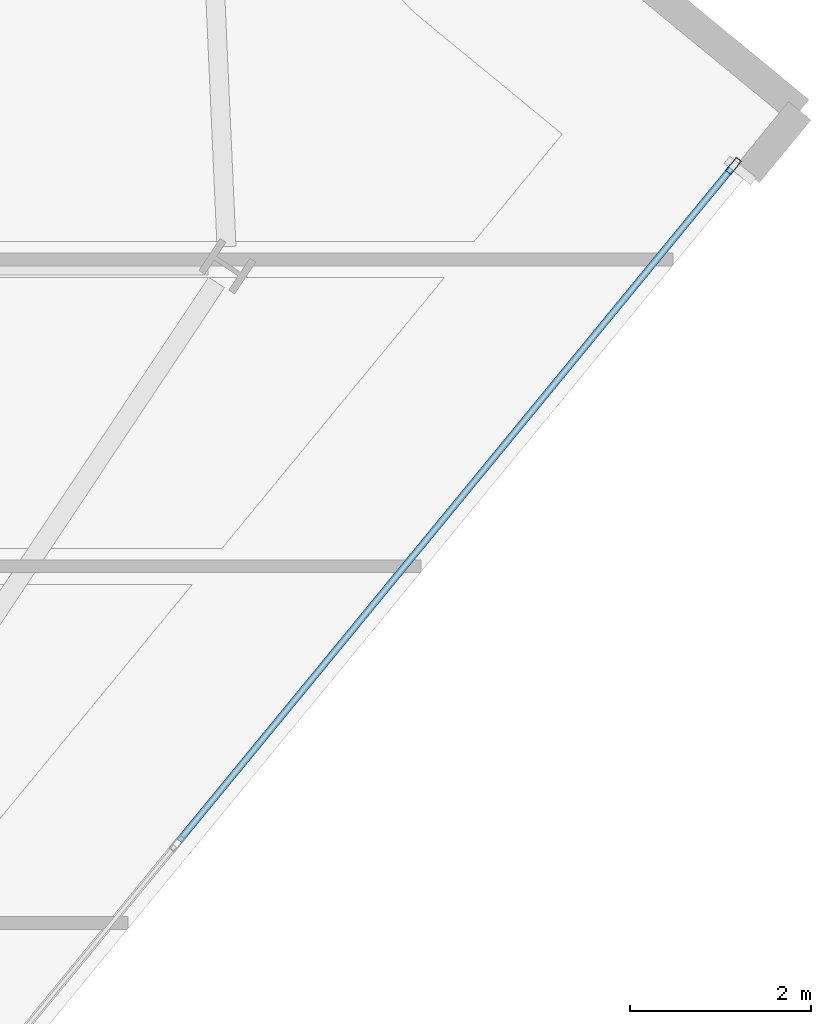
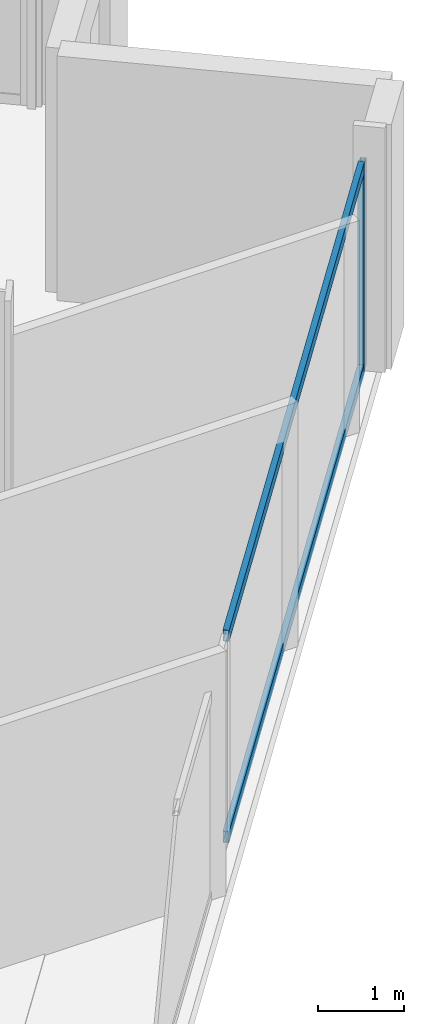
# One storey, part 12 of 28: 3 members, 1 element without a shape of its own.
"""IFC4 building model written with IfcOpenShell, lengths in metres."""

from ifc_helpers import new_model, si_unit, direction, frame, origin, origin_2d, place, context, subcontext, project, spatial, hollow_rectangle, extrude, material, material_profile, profile_set, type_object, element, aggregate, save


model = new_model("IFC4")

# Units and contexts
model_context = context("Model", 3, precision=1e-05, world=origin(), true_north=direction((0.0, 1.0)))
body_context = subcontext(model_context, "Body", "Model", "MODEL_VIEW")
ifc_project = project(units=[si_unit("LENGTHUNIT", "METRE"), si_unit("AREAUNIT", "SQUARE_METRE"), si_unit("VOLUMEUNIT", "CUBIC_METRE"), si_unit("PLANEANGLEUNIT", "RADIAN"), si_unit("MASSUNIT", "GRAM", prefix="KILO")], contexts=[model_context])

# Site, building, storey
site_placement = place(None, origin())
site = spatial("IfcSite", under=ifc_project, at=site_placement, CompositionType="ELEMENT")
building_placement = place(site_placement, origin())
building = spatial("IfcBuilding", under=site, at=building_placement, Name="Haldenkirk Collegiate Tower", CompositionType="ELEMENT")
storey_placement = place(building_placement, frame((0.0, 0.0, 198.449951171875)))
storey = spatial("IfcBuildingStorey", under=building, at=storey_placement, Name="L49", CompositionType="ELEMENT", Elevation=198.449951171875)

# Curtain wall, members
ifc_material = material(Name="Anodised architectural bronze aluminium", Category="aluminium")
curtain_wall_type = type_object("IfcCurtainWallType", Name="CW-SYS2-CONCAVE", PredefinedType="USERDEFINED", material=ifc_material)
curtain_wall_placement = place(storey_placement, origin())
curtain_wall = element("IfcCurtainWall", 1, at=curtain_wall_placement, inside=storey, type_object=curtain_wall_type, Name="L49 South concave recessed bronze-anodised curtain wall", ObjectType="UNITISED CURTAIN WALL", PredefinedType="USERDEFINED")
ifc_material_profile_1 = material_profile(ifc_material, hollow_rectangle(XDim=0.074951171875, YDim=0.18994140625, WallThickness=0.0048828125, at=origin_2d()), Name="CW-MUL-02")
ifc_profile_set_1 = profile_set([ifc_material_profile_1], Name="Anodised architectural bronze aluminium")
member_type_1 = type_object("IfcMemberType", Name="CW-MUL-02", PredefinedType="MULLION", material=ifc_profile_set_1)
member_1_placement = place(storey_placement, frame((66.37353515625, 26.2373046875, 0.0), z_axis=(0.0, 0.0, 1.0), x_axis=(0.772733575768, -0.634730510437, 0.0)))
member_1 = element("IfcMember", 2, at=member_1_placement, type_object=member_type_1, Name="CW-02 mullion 1", PredefinedType="MULLION", context=body_context, shape_type="SweptSolid", body=[
    extrude(hollow_rectangle(XDim=0.074951171875, YDim=0.18994140625, WallThickness=0.0048828125, at=origin_2d()), origin(), (0.0, 0.0, 1.0), 2.927978515625),
])
ifc_material_profile_2 = material_profile(ifc_material, hollow_rectangle(XDim=0.074951171875, YDim=0.159912109375, WallThickness=0.0048828125, at=origin_2d()), Name="CW-TRN-02")
ifc_profile_set_2 = profile_set([ifc_material_profile_2], Name="Anodised architectural bronze aluminium")
member_type_2 = type_object("IfcMemberType", Name="CW-TRN-02", PredefinedType="USERDEFINED", material=ifc_profile_set_2)
member_2_placement = place(storey_placement, frame((66.349609375, 26.20849609375, 0.03759765625), z_axis=(-0.634726458065, -0.772736904407, 0.0), x_axis=(0.772736904407, -0.634726458065, 0.0)))
member_2 = element("IfcMember", 3, at=member_2_placement, type_object=member_type_2, Name="CW-02 transom 1.1", ObjectType="TRANSOM", PredefinedType="USERDEFINED", context=body_context, shape_type="SweptSolid", body=[
    extrude(hollow_rectangle(XDim=0.074951171875, YDim=0.159912109375, WallThickness=0.0048828125, at=origin_2d()), origin(), (0.0, 0.0, 1.0), 9.637451171875),
])
member_3_placement = place(storey_placement, frame((66.349609375, 26.20849609375, 2.890625), z_axis=(-0.634726458065, -0.772736904407, 0.0), x_axis=(0.772736904407, -0.634726458065, 0.0)))
member_3 = element("IfcMember", 4, at=member_3_placement, type_object=member_type_2, Name="CW-02 transom 1.2", ObjectType="TRANSOM", PredefinedType="USERDEFINED", context=body_context, shape_type="SweptSolid", body=[
    extrude(hollow_rectangle(XDim=0.074951171875, YDim=0.159912109375, WallThickness=0.0048828125, at=origin_2d()), origin(), (0.0, 0.0, 1.0), 9.637451171875),
])
aggregate(curtain_wall, [member_1, member_2, member_3])

save(model, "model.ifc")
